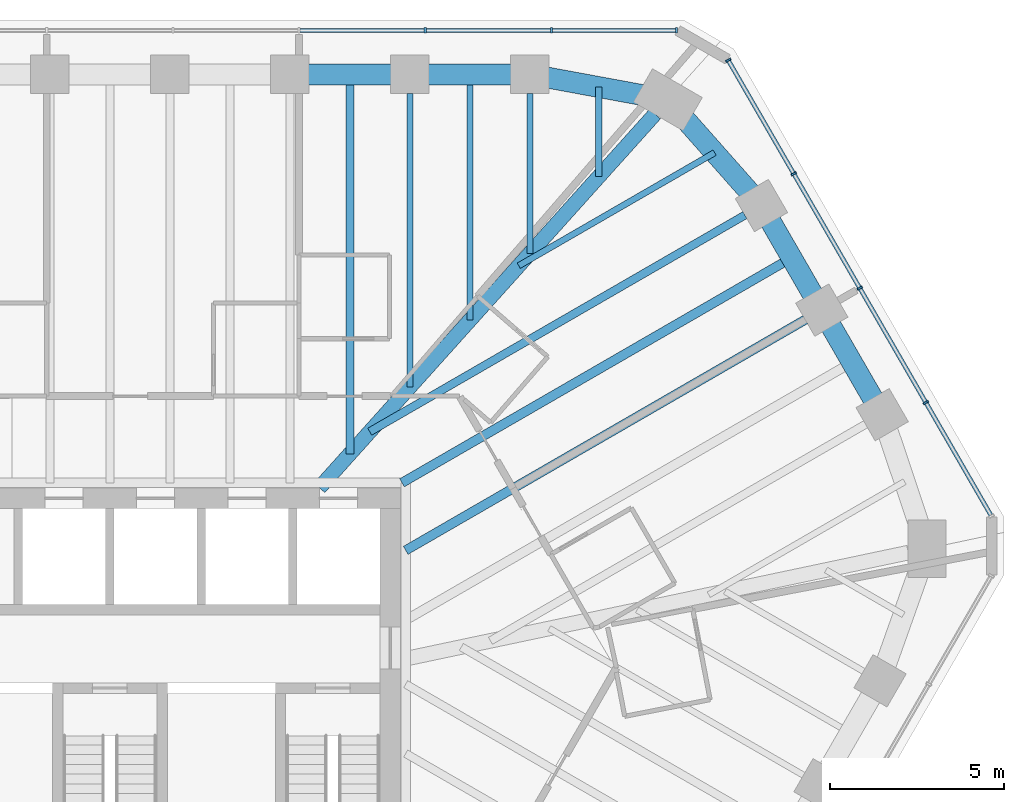
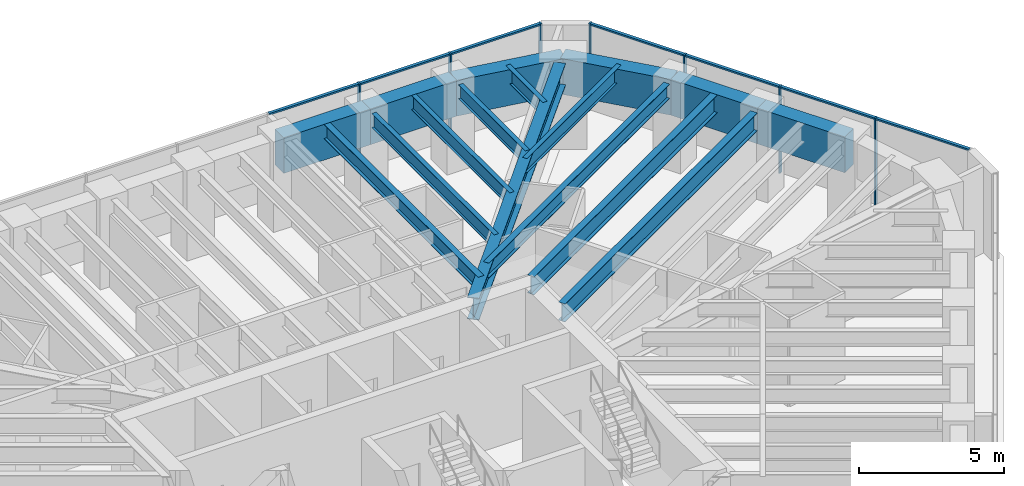
# One storey, part 7 of 14: 16 beams, 14 members, 2 elements without a shape of their own.
"""IFC4 building model written with IfcOpenShell, lengths in metres."""

from ifc_helpers import new_model, si_unit, direction, frame, origin, origin_2d, place, context, subcontext, project, spatial, rectangle, i_section, extrude, material, material_profile, profile_set, type_object, element, aggregate, save


model = new_model("IFC4")

# Units and contexts
model_context = context("Model", 3, precision=1e-05, world=origin(), true_north=direction((0.0, 1.0)))
body_context = subcontext(model_context, "Body", "Model", "MODEL_VIEW")
ifc_project = project(units=[si_unit("LENGTHUNIT", "METRE"), si_unit("AREAUNIT", "SQUARE_METRE"), si_unit("VOLUMEUNIT", "CUBIC_METRE"), si_unit("PLANEANGLEUNIT", "RADIAN"), si_unit("MASSUNIT", "GRAM", prefix="KILO")], contexts=[model_context])

# Site, building, storey
site_placement = place(None, origin())
site = spatial("IfcSite", under=ifc_project, at=site_placement, CompositionType="ELEMENT")
building_placement = place(site_placement, origin())
building = spatial("IfcBuilding", under=site, at=building_placement, Name="Sandreach Pilgrim Tower", CompositionType="ELEMENT")
storey_placement = place(building_placement, frame((0.0, 0.0, 287.39990234375)))
storey = spatial("IfcBuildingStorey", under=building, at=storey_placement, Name="L72", CompositionType="ELEMENT", Elevation=287.39990234375)

# Curtain wall, members
ifc_material_1 = material(Name="Aluminium framed curtain wall", Category="aluminium")
curtain_wall_type = type_object("IfcCurtainWallType", Name="Suite tower curtain wall", PredefinedType="NOTDEFINED", material=ifc_material_1)
curtain_wall_1_placement = place(storey_placement, origin())
curtain_wall_1 = element("IfcCurtainWall", 1, at=curtain_wall_1_placement, inside=storey, type_object=curtain_wall_type, Name="CW-4 L72 N", PredefinedType="NOTDEFINED")
ifc_material_2 = material(Name="Aluminium extrusion", Category="aluminium")
ifc_material_profile_1 = material_profile(ifc_material_2, rectangle(XDim=0.06005859375, YDim=0.159912109375, at=origin_2d()), Name="CW-4M 60X160")
ifc_profile_set_1 = profile_set([ifc_material_profile_1], Name="Aluminium extrusion")
member_type_1 = type_object("IfcMemberType", Name="CW-4 mullion", PredefinedType="MULLION", material=ifc_profile_set_1)
member_1_placement = place(storey_placement, frame((9.0546875, 19.826416015625, 0.0), z_axis=(0.0, 0.0, 1.0), x_axis=(1.0, 0.0, 0.0)))
member_1 = element("IfcMember", 2, at=member_1_placement, type_object=member_type_1, Name="CW-4 mullion 8", PredefinedType="MULLION", context=body_context, shape_type="SweptSolid", body=[
    extrude(rectangle(XDim=0.06005859375, YDim=0.159912109375, at=origin_2d()), origin(), (0.0, 0.0, 1.0), 3.64013671875),
])
member_2_placement = place(storey_placement, frame((12.676513671875, 19.826416015625, 0.0), z_axis=(0.0, 0.0, 1.0), x_axis=(1.0, 0.0, 0.0)))
member_2 = element("IfcMember", 3, at=member_2_placement, type_object=member_type_1, Name="CW-4 mullion 9", PredefinedType="MULLION", context=body_context, shape_type="SweptSolid", body=[
    extrude(rectangle(XDim=0.06005859375, YDim=0.159912109375, at=origin_2d()), origin(), (0.0, 0.0, 1.0), 3.64013671875),
])
member_3_placement = place(storey_placement, frame((16.268310546875, 19.826416015625, 0.0), z_axis=(0.0, 0.0, 1.0), x_axis=(1.0, 0.0, 0.0)))
member_3 = element("IfcMember", 4, at=member_3_placement, type_object=member_type_1, Name="CW-4 mullion 10", PredefinedType="MULLION", context=body_context, shape_type="SweptSolid", body=[
    extrude(rectangle(XDim=0.06005859375, YDim=0.159912109375, at=origin_2d()), origin(), (0.0, 0.0, 1.0), 3.64013671875),
])

curtain_wall_2_placement = place(storey_placement, origin())
curtain_wall_2 = element("IfcCurtainWall", 5, at=curtain_wall_2_placement, inside=storey, type_object=curtain_wall_type, Name="CW-4 L72 NE", PredefinedType="NOTDEFINED")
member_4_placement = place(storey_placement, frame((17.7509765625, 18.970458984375, 0.0), z_axis=(0.0, 0.0, 1.0), x_axis=(0.5, -0.866025403784, 0.0)))
member_4 = element("IfcMember", 6, at=member_4_placement, type_object=member_type_1, Name="CW-4 mullion 1", PredefinedType="MULLION", context=body_context, shape_type="SweptSolid", body=[
    extrude(rectangle(XDim=0.06005859375, YDim=0.159912109375, at=origin_2d()), origin(), (0.0, 0.0, 1.0), 3.64013671875),
])
member_5_placement = place(storey_placement, frame((19.6318359375, 15.712646484375, 0.0), z_axis=(0.0, 0.0, 1.0), x_axis=(0.5, -0.866025403784, 0.0)))
member_5 = element("IfcMember", 7, at=member_5_placement, type_object=member_type_1, Name="CW-4 mullion 2", PredefinedType="MULLION", context=body_context, shape_type="SweptSolid", body=[
    extrude(rectangle(XDim=0.06005859375, YDim=0.159912109375, at=origin_2d()), origin(), (0.0, 0.0, 1.0), 3.64013671875),
])
member_6_placement = place(storey_placement, frame((21.527587890625, 12.428955078125, 0.0), z_axis=(0.0, 0.0, 1.0), x_axis=(0.5, -0.866025403784, 0.0)))
member_6 = element("IfcMember", 8, at=member_6_placement, type_object=member_type_1, Name="CW-4 mullion 3", PredefinedType="MULLION", context=body_context, shape_type="SweptSolid", body=[
    extrude(rectangle(XDim=0.06005859375, YDim=0.159912109375, at=origin_2d()), origin(), (0.0, 0.0, 1.0), 3.64013671875),
])
member_7_placement = place(storey_placement, frame((23.423583984375, 9.145263671875, 0.0), z_axis=(0.0, 0.0, 1.0), x_axis=(0.5, -0.866025403784, 0.0)))
member_7 = element("IfcMember", 9, at=member_7_placement, type_object=member_type_1, Name="CW-4 mullion 4", PredefinedType="MULLION", context=body_context, shape_type="SweptSolid", body=[
    extrude(rectangle(XDim=0.06005859375, YDim=0.159912109375, at=origin_2d()), origin(), (0.0, 0.0, 1.0), 3.64013671875),
])

# Member
ifc_material_3 = material(Name="Aluminium extrusion", Category="aluminium")
ifc_material_profile_2 = material_profile(ifc_material_3, rectangle(XDim=0.1201171875, YDim=0.070068359375, at=origin_2d()), Name="CW-4T 120X70")
ifc_profile_set_2 = profile_set([ifc_material_profile_2], Name="Aluminium extrusion")
member_type_2 = type_object("IfcMemberType", Name="CW-4 transom", PredefinedType="USERDEFINED", material=ifc_profile_set_2)
member_8_placement = place(storey_placement, frame((5.462890625, 19.826416015625, 3.60498046875), z_axis=(1.0, 0.0, 0.0), x_axis=(0.0, 1.0, 0.0)))
member_8 = element("IfcMember", 10, at=member_8_placement, type_object=member_type_2, Name="CW-4 head transom 7", ObjectType="TRANSOM", PredefinedType="USERDEFINED", context=body_context, shape_type="SweptSolid", body=[
    extrude(rectangle(XDim=0.1201171875, YDim=0.070068359375, at=origin_2d()), origin(), (0.0, 0.0, 1.0), 3.561767578125),
])

member_9_placement = place(storey_placement, frame((9.084716796875, 19.826416015625, 3.60498046875), z_axis=(1.0, 0.0, 0.0), x_axis=(0.0, 1.0, 0.0)))
member_9 = element("IfcMember", 11, at=member_9_placement, type_object=member_type_2, Name="CW-4 head transom 8", ObjectType="TRANSOM", PredefinedType="USERDEFINED", context=body_context, shape_type="SweptSolid", body=[
    extrude(rectangle(XDim=0.1201171875, YDim=0.070068359375, at=origin_2d()), origin(), (0.0, 0.0, 1.0), 3.561767578125),
])

member_10_placement = place(storey_placement, frame((12.70654296875, 19.826416015625, 3.60498046875), z_axis=(1.0, 0.0, 0.0), x_axis=(0.0, 1.0, 0.0)))
member_10 = element("IfcMember", 12, at=member_10_placement, type_object=member_type_2, Name="CW-4 head transom 9", ObjectType="TRANSOM", PredefinedType="USERDEFINED", context=body_context, shape_type="SweptSolid", body=[
    extrude(rectangle(XDim=0.1201171875, YDim=0.070068359375, at=origin_2d()), origin(), (0.0, 0.0, 1.0), 3.53173828125),
])

aggregate(curtain_wall_1, [member_1, member_2, member_3, member_8, member_9, member_10])

member_11_placement = place(storey_placement, frame((17.76611328125, 18.944580078125, 3.60498046875), z_axis=(0.499990780478, -0.866030726613, 0.0), x_axis=(0.866030726613, 0.499990780478, 0.0)))
member_11 = element("IfcMember", 13, at=member_11_placement, type_object=member_type_2, Name="CW-4 head transom 1", ObjectType="TRANSOM", PredefinedType="USERDEFINED", context=body_context, shape_type="SweptSolid", body=[
    extrude(rectangle(XDim=0.1201171875, YDim=0.070068359375, at=origin_2d()), origin(), (0.0, 0.0, 1.0), 3.70166015625),
])

member_12_placement = place(storey_placement, frame((19.646728515625, 15.686767578125, 3.60498046875), z_axis=(0.500030151002, -0.866007995396, 0.0), x_axis=(0.866007995396, 0.500030151002, 0.0)))
member_12 = element("IfcMember", 14, at=member_12_placement, type_object=member_type_2, Name="CW-4 head transom 2", ObjectType="TRANSOM", PredefinedType="USERDEFINED", context=body_context, shape_type="SweptSolid", body=[
    extrude(rectangle(XDim=0.1201171875, YDim=0.070068359375, at=origin_2d()), origin(), (0.0, 0.0, 1.0), 3.731689453125),
])

member_13_placement = place(storey_placement, frame((21.542724609375, 12.403076171875, 3.60498046875), z_axis=(0.499981083104, -0.866036325184, 0.0), x_axis=(0.866036325184, 0.499981083104, 0.0)))
member_13 = element("IfcMember", 15, at=member_13_placement, type_object=member_type_2, Name="CW-4 head transom 3", ObjectType="TRANSOM", PredefinedType="USERDEFINED", context=body_context, shape_type="SweptSolid", body=[
    extrude(rectangle(XDim=0.1201171875, YDim=0.070068359375, at=origin_2d()), origin(), (0.0, 0.0, 1.0), 3.731689453125),
])

member_14_placement = place(storey_placement, frame((23.4384765625, 9.119384765625, 3.60498046875), z_axis=(0.499990780478, -0.866030726613, 0.0), x_axis=(0.866030726613, 0.499990780478, 0.0)))
member_14 = element("IfcMember", 16, at=member_14_placement, type_object=member_type_2, Name="CW-4 head transom 4", ObjectType="TRANSOM", PredefinedType="USERDEFINED", context=body_context, shape_type="SweptSolid", body=[
    extrude(rectangle(XDim=0.1201171875, YDim=0.070068359375, at=origin_2d()), origin(), (0.0, 0.0, 1.0), 3.70166015625),
])

aggregate(curtain_wall_2, [member_4, member_5, member_6, member_7, member_11, member_12, member_13, member_14])

# Beams
ifc_material_4 = material(Name="Steel ASTM A992 Grade 50", Category="steel")
ifc_material_profile_3 = material_profile(ifc_material_4, i_section(OverallWidth=0.419189453125, OverallDepth=0.927001953125, WebThickness=0.019287109375, FlangeThickness=0.031982421875, at=origin_2d()), Name="W36X231")
ifc_profile_set_3 = profile_set([ifc_material_profile_3], Name="Steel ASTM A992 Grade 50")
beam_type_1 = type_object("IfcBeamType", Name="Corner girder W36X231", PredefinedType="BEAM", material=ifc_profile_set_3)
beam_1_placement = place(storey_placement, frame((15.649169921875, 17.427978515625, 3.176513671875), z_axis=(-0.668114851597, -0.74405815974, 0.0), x_axis=(0.74405815974, -0.668114851597, 0.0)))
element("IfcBeam", 17, at=beam_1_placement, inside=storey, type_object=beam_type_1, Name="BM L72 CG09", PredefinedType="BEAM", context=body_context, shape_type="SweptSolid", body=[
    extrude(i_section(OverallWidth=0.419189453125, OverallDepth=0.927001953125, WebThickness=0.019287109375, FlangeThickness=0.031982421875, at=origin_2d()), origin(), (0.0, 0.0, 1.0), 14.418212890625),
])
ifc_material_5 = material(Name="Steel ASTM A992 Grade 50", Category="steel")
ifc_material_profile_4 = material_profile(ifc_material_5, i_section(OverallWidth=0.1787109375, OverallDepth=0.60205078125, WebThickness=0.010986328125, FlangeThickness=0.014892578125, at=origin_2d()), Name="W24X62")
ifc_profile_set_4 = profile_set([ifc_material_profile_4], Name="Steel ASTM A992 Grade 50")
beam_type_2 = type_object("IfcBeamType", Name="Floor beam W24X62", PredefinedType="BEAM", material=ifc_profile_set_4)
beam_2_placement = place(storey_placement, frame((8.612548828125, 18.016357421875, 3.339111328125), z_axis=(0.0, -1.0, 0.0), x_axis=(1.0, 0.0, 0.0)))
element("IfcBeam", 18, at=beam_2_placement, inside=storey, type_object=beam_type_2, Name="BM L72 F07", PredefinedType="BEAM", context=body_context, shape_type="SweptSolid", body=[
    extrude(i_section(OverallWidth=0.1787109375, OverallDepth=0.60205078125, WebThickness=0.010986328125, FlangeThickness=0.014892578125, at=origin_2d()), origin(), (0.0, 0.0, 1.0), 8.4248046875),
])
beam_3_placement = place(storey_placement, frame((12.0576171875, 18.016357421875, 3.339111328125), z_axis=(0.0, -1.0, 0.0), x_axis=(1.0, 0.0, 0.0)))
element("IfcBeam", 19, at=beam_3_placement, inside=storey, type_object=beam_type_2, Name="BM L72 F08", PredefinedType="BEAM", context=body_context, shape_type="SweptSolid", body=[
    extrude(i_section(OverallWidth=0.1787109375, OverallDepth=0.60205078125, WebThickness=0.010986328125, FlangeThickness=0.014892578125, at=origin_2d()), origin(), (0.0, 0.0, 1.0), 4.58837890625),
])
beam_4_placement = place(storey_placement, frame((10.3349609375, 18.56640625, 3.339111328125), z_axis=(0.0, -1.0, 0.0), x_axis=(1.0, 0.0, 0.0)))
element("IfcBeam", 20, at=beam_4_placement, inside=storey, type_object=beam_type_2, Name="BM L72 FM07", PredefinedType="BEAM", context=body_context, shape_type="SweptSolid", body=[
    extrude(i_section(OverallWidth=0.1787109375, OverallDepth=0.60205078125, WebThickness=0.010986328125, FlangeThickness=0.014892578125, at=origin_2d()), origin(), (0.0, 0.0, 1.0), 7.056640625),
])
beam_5_placement = place(storey_placement, frame((14.037109375, 18.201904296875, 3.339111328125), z_axis=(0.0, -1.0, 0.0), x_axis=(1.0, 0.0, 0.0)))
element("IfcBeam", 21, at=beam_5_placement, inside=storey, type_object=beam_type_2, Name="BM L72 FM08", PredefinedType="BEAM", context=body_context, shape_type="SweptSolid", body=[
    extrude(i_section(OverallWidth=0.1787109375, OverallDepth=0.60205078125, WebThickness=0.010986328125, FlangeThickness=0.014892578125, at=origin_2d()), origin(), (0.0, 0.0, 1.0), 2.5693359375),
])
beam_6_placement = place(storey_placement, frame((17.360107421875, 16.31884765625, 3.339111328125), z_axis=(-0.866023980233, -0.500002465655, 0.0), x_axis=(0.500002465655, -0.866023980233, 0.0)))
element("IfcBeam", 22, at=beam_6_placement, inside=storey, type_object=beam_type_2, Name="BM L72 FM09", PredefinedType="BEAM", context=body_context, shape_type="SweptSolid", body=[
    extrude(i_section(OverallWidth=0.1787109375, OverallDepth=0.60205078125, WebThickness=0.010986328125, FlangeThickness=0.014892578125, at=origin_2d()), origin(), (0.0, 0.0, 1.0), 6.49072265625),
])
ifc_material_6 = material(Name="Steel ASTM A992 Grade 50", Category="steel")
ifc_material_profile_5 = material_profile(ifc_material_6, i_section(OverallWidth=0.23046875, OverallDepth=0.6171875, WebThickness=0.01318359375, FlangeThickness=0.022216796875, at=origin_2d()), Name="W24X94")
ifc_profile_set_5 = profile_set([ifc_material_profile_5], Name="Steel ASTM A992 Grade 50")
beam_type_3 = type_object("IfcBeamType", Name="Floor beam W24X94", PredefinedType="BEAM", material=ifc_profile_set_5)
beam_7_placement = place(storey_placement, frame((18.227294921875, 14.525390625, 3.33154296875), z_axis=(-0.866020427415, -0.500008619226, 0.0), x_axis=(0.500008619226, -0.866020427415, 0.0)))
element("IfcBeam", 23, at=beam_7_placement, inside=storey, type_object=beam_type_3, Name="BM L72 F10", PredefinedType="BEAM", context=body_context, shape_type="SweptSolid", body=[
    extrude(i_section(OverallWidth=0.23046875, OverallDepth=0.6171875, WebThickness=0.01318359375, FlangeThickness=0.022216796875, at=origin_2d()), origin(), (0.0, 0.0, 1.0), 12.431396484375),
])
beam_8_placement = place(storey_placement, frame((6.89013671875, 18.56640625, 3.33154296875), z_axis=(0.0, -1.0, 0.0), x_axis=(1.0, 0.0, 0.0)))
element("IfcBeam", 24, at=beam_8_placement, inside=storey, type_object=beam_type_3, Name="BM L72 FM06", PredefinedType="BEAM", context=body_context, shape_type="SweptSolid", body=[
    extrude(i_section(OverallWidth=0.23046875, OverallDepth=0.6171875, WebThickness=0.01318359375, FlangeThickness=0.022216796875, at=origin_2d()), origin(), (0.0, 0.0, 1.0), 10.893310546875),
])
ifc_material_7 = material(Name="Steel ASTM A992 Grade 50", Category="steel")
ifc_material_profile_6 = material_profile(ifc_material_7, i_section(OverallWidth=0.2666015625, OverallDepth=0.761962890625, WebThickness=0.014404296875, FlangeThickness=0.021484375, at=origin_2d()), Name="W30X116")
ifc_profile_set_6 = profile_set([ifc_material_profile_6], Name="Steel ASTM A992 Grade 50")
beam_type_4 = type_object("IfcBeamType", Name="Floor beam W30X116", PredefinedType="BEAM", material=ifc_profile_set_6)
beam_9_placement = place(storey_placement, frame((19.960205078125, 11.52392578125, 3.259033203125), z_axis=(-0.86602530353, -0.500000173646, 0.0), x_axis=(0.500000173646, -0.86602530353, 0.0)))
element("IfcBeam", 25, at=beam_9_placement, inside=storey, type_object=beam_type_4, Name="BM L72 F11", PredefinedType="BEAM", context=body_context, shape_type="SweptSolid", body=[
    extrude(i_section(OverallWidth=0.2666015625, OverallDepth=0.761962890625, WebThickness=0.014404296875, FlangeThickness=0.021484375, at=origin_2d()), origin(), (0.0, 0.0, 1.0), 13.24072265625),
])
beam_10_placement = place(storey_placement, frame((19.570068359375, 13.299560546875, 3.259033203125), z_axis=(-0.866025008595, -0.500000684488, 0.0), x_axis=(0.500000684488, -0.866025008595, 0.0)))
element("IfcBeam", 26, at=beam_10_placement, inside=storey, type_object=beam_type_4, Name="BM L72 FM10", PredefinedType="BEAM", context=body_context, shape_type="SweptSolid", body=[
    extrude(i_section(OverallWidth=0.2666015625, OverallDepth=0.761962890625, WebThickness=0.014404296875, FlangeThickness=0.021484375, at=origin_2d()), origin(), (0.0, 0.0, 1.0), 12.91259765625),
])
ifc_material_8 = material(Name="Concrete 10000 psi", Category="concrete")
ifc_material_profile_7 = material_profile(ifc_material_8, rectangle(XDim=0.60009765625, YDim=1.5, at=origin_2d()), Name="RC600X1500")
ifc_profile_set_7 = profile_set([ifc_material_profile_7], Name="Concrete 10000 psi")
beam_type_5 = type_object("IfcBeamType", Name="Spandrel beam RC600X1500", PredefinedType="SPANDREL", material=ifc_profile_set_7)
for number, where, z_axis, x_axis, name in (
    (27, (5.16748046875, 18.56640625, 2.89013671875), (1.0, 0.0, 0.0), (0.0, 1.0, 0.0), "BM L72 SP06"),
    (28, (8.612548828125, 18.56640625, 2.89013671875), (1.0, 0.0, 0.0), (0.0, 1.0, 0.0), "BM L72 SP07"),
):
    element("IfcBeam", number, at=place(storey_placement, frame(where, z_axis=z_axis, x_axis=x_axis)), inside=storey, type_object=beam_type_5, Name=name, PredefinedType="SPANDREL", context=body_context, shape_type="SweptSolid", body=[
        extrude(rectangle(XDim=0.60009765625, YDim=1.5, at=origin_2d()), origin(), (0.0, 0.0, 1.0), 3.445068359375),
    ])
beam_11_placement = place(storey_placement, frame((12.0576171875, 18.56640625, 2.89013671875), z_axis=(0.983454894629, -0.181153167875, 0.0), x_axis=(0.181153167875, 0.983454894629, 0.0)))
element("IfcBeam", 29, at=beam_11_placement, inside=storey, type_object=beam_type_5, Name="BM L72 SP08", PredefinedType="SPANDREL", context=body_context, shape_type="SweptSolid", body=[
    extrude(rectangle(XDim=0.60009765625, YDim=1.5, at=origin_2d()), origin(), (0.0, 0.0, 1.0), 4.025634765625),
])
beam_12_placement = place(storey_placement, frame((16.0166015625, 17.837158203125, 2.89013671875), z_axis=(0.662650525414, -0.748928755736, 0.0), x_axis=(0.748928755736, 0.662650525414, 0.0)))
element("IfcBeam", 30, at=beam_12_placement, inside=storey, type_object=beam_type_5, Name="BM L72 SP09", PredefinedType="SPANDREL", context=body_context, shape_type="SweptSolid", body=[
    extrude(rectangle(XDim=0.60009765625, YDim=1.5, at=origin_2d()), origin(), (0.0, 0.0, 1.0), 4.054931640625),
])
for number, where, z_axis, x_axis, name in (
    (31, (18.70361328125, 14.80029296875, 2.89013671875), (0.500033451825, -0.866006089503, 0.0), (0.866006089503, 0.500033451825, 0.0), "BM L72 SP10"),
    (32, (20.4365234375, 11.799072265625, 2.89013671875), (0.499980616072, -0.866036594811, 0.0), (0.866036594811, 0.499980616072, 0.0), "BM L72 SP11"),
):
    element("IfcBeam", number, at=place(storey_placement, frame(where, z_axis=z_axis, x_axis=x_axis)), inside=storey, type_object=beam_type_5, Name=name, PredefinedType="SPANDREL", context=body_context, shape_type="SweptSolid", body=[
        extrude(rectangle(XDim=0.60009765625, YDim=1.5, at=origin_2d()), origin(), (0.0, 0.0, 1.0), 3.465576171875),
    ])

save(model, "model.ifc")
